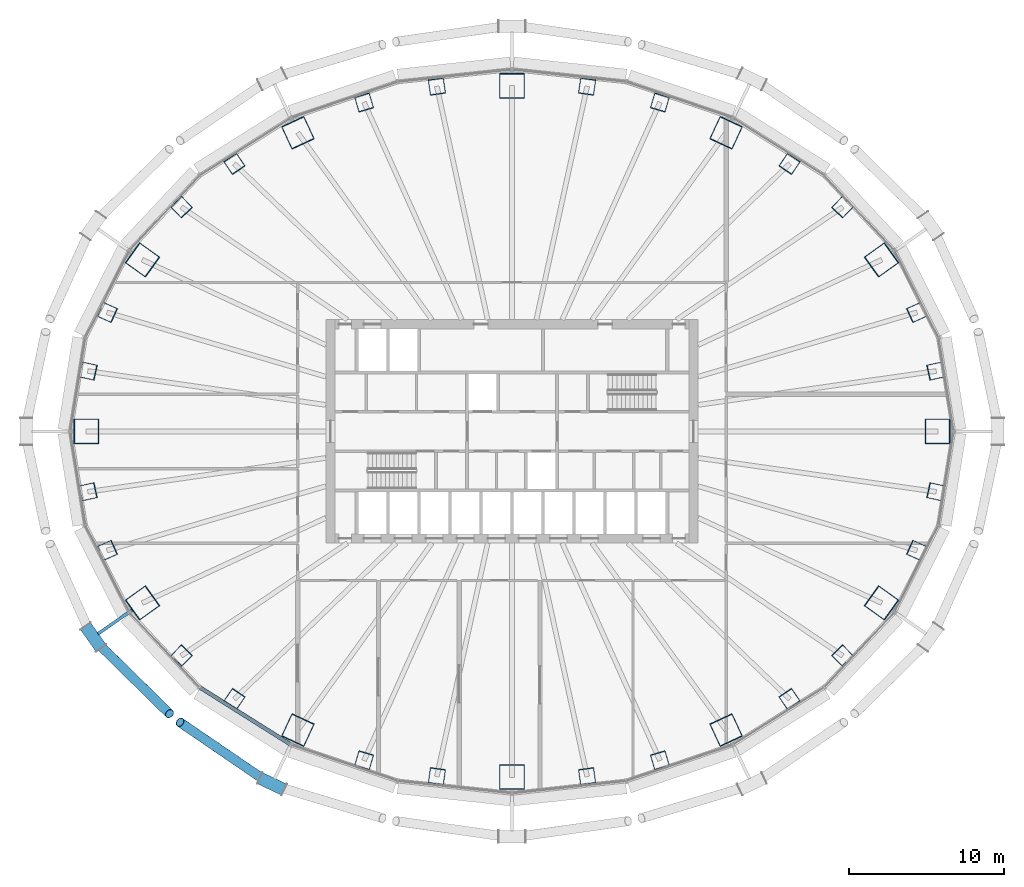
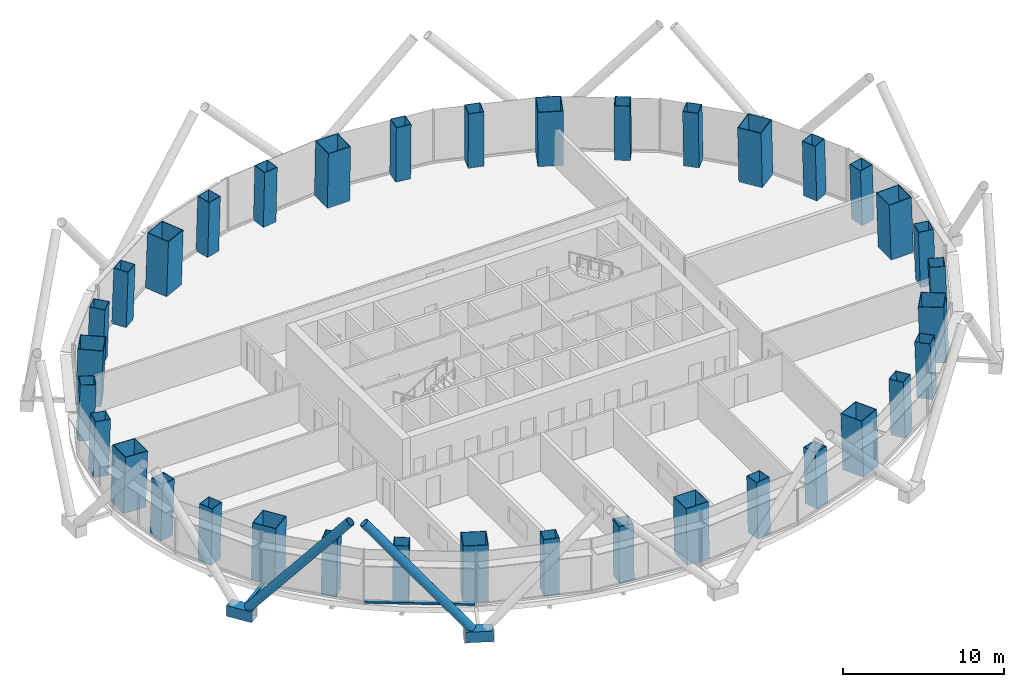
# One storey, part 1 of 16: 36 columns, 6 members, 1 element without a shape of its own.
"""IFC4 building model written with IfcOpenShell, lengths in metres."""

from ifc_helpers import new_model, si_unit, direction, frame, origin, origin_2d, place, context, subcontext, project, spatial, rectangle, hollow_rectangle, hollow_circle, extrude, material, layer, layer_set, material_profile, profile_set, type_object, element, aggregate, save


model = new_model("IFC4")

# Units and contexts
model_context = context("Model", 3, precision=1e-05, world=origin(), true_north=direction((0.0, 1.0)))
body_context = subcontext(model_context, "Body", "Model", "MODEL_VIEW")
ifc_project = project(units=[si_unit("LENGTHUNIT", "METRE"), si_unit("AREAUNIT", "SQUARE_METRE"), si_unit("VOLUMEUNIT", "CUBIC_METRE"), si_unit("PLANEANGLEUNIT", "RADIAN"), si_unit("MASSUNIT", "GRAM", prefix="KILO")], contexts=[model_context])

# Site, building, storey
site_placement = place(None, origin())
site = spatial("IfcSite", under=ifc_project, at=site_placement, CompositionType="ELEMENT")
building_placement = place(site_placement, origin())
building = spatial("IfcBuilding", under=site, at=building_placement, Name="Siaravel Broadcast Tower", CompositionType="ELEMENT")
storey_placement = place(building_placement, frame((0.0, 0.0, 28.699951171875)))
storey = spatial("IfcBuildingStorey", under=building, at=storey_placement, Name="L05", CompositionType="ELEMENT", Elevation=28.699951171875)

# Columns
ifc_material_1 = material(Name="Concrete C70/85", Category="concrete")
ifc_material_profile_1 = material_profile(ifc_material_1, hollow_rectangle(XDim=1.0, YDim=1.0, WallThickness=0.031982421875, at=origin_2d()))
ifc_profile_set_1 = profile_set([ifc_material_profile_1], Name="Concrete C70/85")
column_type_1 = type_object("IfcColumnType", Name="COL-CFT BOX 1000x1000x32", PredefinedType="COLUMN", material=ifc_profile_set_1)
for number, where, z_axis, x_axis, name in (
    (1, (27.3330078125, 3.892333984375, 0.0), (-0.034043665, -0.004938074, 0.999408147), (0.212942356, -0.977061752, 0.002425971), "Perimeter column C01"),
    (2, (26.09619140625, 7.673095703125, 0.0), (-0.032475681, -0.009643941, 0.999425998), (0.40845315, -0.912768366, 0.004464673), "Perimeter column C02"),
):
    element("IfcColumn", number, at=place(storey_placement, frame(where, z_axis=z_axis, x_axis=x_axis)), inside=storey, type_object=column_type_1, Name=name, PredefinedType="COLUMN", context=body_context, shape_type="SweptSolid", body=[
        extrude(hollow_rectangle(XDim=1.0, YDim=1.0, WallThickness=0.031982421875, at=origin_2d()), origin(), (0.0, 0.0, 1.0), 4.202392578125),
    ])
column_1_placement = place(storey_placement, frame((21.310791015625, 14.458984375, 0.0), z_axis=(-0.026435257, -0.018185133, 0.999485107), x_axis=(0.719976606, -0.693968674, 0.006416158)))
element("IfcColumn", 3, at=column_1_placement, inside=storey, type_object=column_type_1, Name="Perimeter column C03", PredefinedType="COLUMN", context=body_context, shape_type="SweptSolid", body=[
    extrude(hollow_rectangle(XDim=1.0, YDim=1.0, WallThickness=0.031982421875, at=origin_2d()), origin(), (0.0, 0.0, 1.0), 4.2021484375),
])
column_2_placement = place(storey_placement, frame((17.897705078125, 17.25439453125, 0.0), z_axis=(-0.022252816, -0.021671802, 0.999517456), x_axis=(0.826905053, -0.562307187, 0.006217756)))
element("IfcColumn", 4, at=column_2_placement, inside=storey, type_object=column_type_1, Name="Perimeter column C04", PredefinedType="COLUMN", context=body_context, shape_type="SweptSolid", body=[
    extrude(hollow_rectangle(XDim=1.0, YDim=1.0, WallThickness=0.031982421875, at=origin_2d()), origin(), (0.0, 0.0, 1.0), 4.201904296875),
])
for number, where, z_axis, x_axis, name in (
    (5, (9.535888671875, 21.2080078125, 0.0), (-0.011853345, -0.026670027, 0.999574013), (0.959519946, -0.281614165, 0.00386451), "Perimeter column C05"),
    (6, (4.843017578125, 22.23779296875, 0.0), (-0.005984891, -0.027890756, 0.999593061), (0.990157139, -0.139945508, 0.00202362), "Perimeter column C06"),
    (7, (-4.843017578125, 22.23779296875, 0.0), (0.005984891, -0.027890756, 0.999593061), (0.990157139, 0.139945508, -0.00202362), "Perimeter column C07"),
    (8, (-9.535888671875, 21.2080078125, 0.0), (0.011853345, -0.026670027, 0.999574013), (0.959519946, 0.281614165, -0.00386451), "Perimeter column C08"),
):
    element("IfcColumn", number, at=place(storey_placement, frame(where, z_axis=z_axis, x_axis=x_axis)), inside=storey, type_object=column_type_1, Name=name, PredefinedType="COLUMN", context=body_context, shape_type="SweptSolid", body=[
        extrude(hollow_rectangle(XDim=1.0, YDim=1.0, WallThickness=0.031982421875, at=origin_2d()), origin(), (0.0, 0.0, 1.0), 4.20166015625),
    ])
column_3_placement = place(storey_placement, frame((-17.897705078125, 17.25439453125, 0.0), z_axis=(0.022252816, -0.021671802, 0.999517456), x_axis=(0.826905053, 0.562307187, -0.006217756)))
element("IfcColumn", 9, at=column_3_placement, inside=storey, type_object=column_type_1, Name="Perimeter column C09", PredefinedType="COLUMN", context=body_context, shape_type="SweptSolid", body=[
    extrude(hollow_rectangle(XDim=1.0, YDim=1.0, WallThickness=0.031982421875, at=origin_2d()), origin(), (0.0, 0.0, 1.0), 4.201904296875),
])
column_4_placement = place(storey_placement, frame((-21.310791015625, 14.458984375, 0.0), z_axis=(0.026435257, -0.018185133, 0.999485107), x_axis=(0.719976606, 0.693968674, -0.006416158)))
element("IfcColumn", 10, at=column_4_placement, inside=storey, type_object=column_type_1, Name="Perimeter column C10", PredefinedType="COLUMN", context=body_context, shape_type="SweptSolid", body=[
    extrude(hollow_rectangle(XDim=1.0, YDim=1.0, WallThickness=0.031982421875, at=origin_2d()), origin(), (0.0, 0.0, 1.0), 4.2021484375),
])
for number, where, z_axis, x_axis, name in (
    (11, (-26.09619140625, 7.673095703125, 0.0), (0.032475681, -0.009643941, 0.999425998), (0.40845315, 0.912768366, -0.004464673), "Perimeter column C11"),
    (12, (-27.3330078125, 3.892333984375, 0.0), (0.034043665, -0.004938074, 0.999408147), (0.212942356, 0.977061752, -0.002425971), "Perimeter column C12"),
    (13, (-27.3330078125, -3.892333984375, 0.0), (0.034043665, 0.004938074, 0.999408147), (-0.212942356, 0.977061752, 0.002425971), "Perimeter column C13"),
    (14, (-26.09619140625, -7.673095703125, 0.0), (0.032475681, 0.009643941, 0.999425998), (-0.40845315, 0.912768366, 0.004464673), "Perimeter column C14"),
):
    element("IfcColumn", number, at=place(storey_placement, frame(where, z_axis=z_axis, x_axis=x_axis)), inside=storey, type_object=column_type_1, Name=name, PredefinedType="COLUMN", context=body_context, shape_type="SweptSolid", body=[
        extrude(hollow_rectangle(XDim=1.0, YDim=1.0, WallThickness=0.031982421875, at=origin_2d()), origin(), (0.0, 0.0, 1.0), 4.202392578125),
    ])
column_5_placement = place(storey_placement, frame((-21.310791015625, -14.458984375, 0.0), z_axis=(0.026435257, 0.018185133, 0.999485107), x_axis=(-0.719976606, 0.693968674, 0.006416158)))
element("IfcColumn", 15, at=column_5_placement, inside=storey, type_object=column_type_1, Name="Perimeter column C15", PredefinedType="COLUMN", context=body_context, shape_type="SweptSolid", body=[
    extrude(hollow_rectangle(XDim=1.0, YDim=1.0, WallThickness=0.031982421875, at=origin_2d()), origin(), (0.0, 0.0, 1.0), 4.2021484375),
])
column_6_placement = place(storey_placement, frame((-17.897705078125, -17.25439453125, 0.0), z_axis=(0.022252816, 0.021671802, 0.999517456), x_axis=(-0.826905053, 0.562307187, 0.006217756)))
element("IfcColumn", 16, at=column_6_placement, inside=storey, type_object=column_type_1, Name="Perimeter column C16", PredefinedType="COLUMN", context=body_context, shape_type="SweptSolid", body=[
    extrude(hollow_rectangle(XDim=1.0, YDim=1.0, WallThickness=0.031982421875, at=origin_2d()), origin(), (0.0, 0.0, 1.0), 4.201904296875),
])
for number, where, z_axis, x_axis, name in (
    (17, (-9.535888671875, -21.2080078125, 0.0), (0.011853345, 0.026670027, 0.999574013), (-0.959519946, 0.281614165, 0.00386451), "Perimeter column C17"),
    (18, (-4.843017578125, -22.23779296875, 0.0), (0.005984891, 0.027890756, 0.999593061), (-0.990157139, 0.139945508, 0.00202362), "Perimeter column C18"),
    (19, (4.843017578125, -22.23779296875, 0.0), (-0.005984891, 0.027890756, 0.999593061), (-0.990157139, -0.139945508, -0.00202362), "Perimeter column C19"),
    (20, (9.535888671875, -21.2080078125, 0.0), (-0.011853345, 0.026670027, 0.999574013), (-0.959519946, -0.281614165, -0.00386451), "Perimeter column C20"),
):
    element("IfcColumn", number, at=place(storey_placement, frame(where, z_axis=z_axis, x_axis=x_axis)), inside=storey, type_object=column_type_1, Name=name, PredefinedType="COLUMN", context=body_context, shape_type="SweptSolid", body=[
        extrude(hollow_rectangle(XDim=1.0, YDim=1.0, WallThickness=0.031982421875, at=origin_2d()), origin(), (0.0, 0.0, 1.0), 4.20166015625),
    ])
column_7_placement = place(storey_placement, frame((17.897705078125, -17.25439453125, 0.0), z_axis=(-0.022252816, 0.021671802, 0.999517456), x_axis=(-0.826905053, -0.562307187, -0.006217756)))
element("IfcColumn", 21, at=column_7_placement, inside=storey, type_object=column_type_1, Name="Perimeter column C21", PredefinedType="COLUMN", context=body_context, shape_type="SweptSolid", body=[
    extrude(hollow_rectangle(XDim=1.0, YDim=1.0, WallThickness=0.031982421875, at=origin_2d()), origin(), (0.0, 0.0, 1.0), 4.201904296875),
])
column_8_placement = place(storey_placement, frame((21.310791015625, -14.458984375, 0.0), z_axis=(-0.026435257, 0.018185133, 0.999485107), x_axis=(-0.719976606, -0.693968674, -0.006416158)))
element("IfcColumn", 22, at=column_8_placement, inside=storey, type_object=column_type_1, Name="Perimeter column C22", PredefinedType="COLUMN", context=body_context, shape_type="SweptSolid", body=[
    extrude(hollow_rectangle(XDim=1.0, YDim=1.0, WallThickness=0.031982421875, at=origin_2d()), origin(), (0.0, 0.0, 1.0), 4.2021484375),
])
for number, where, z_axis, x_axis, name in (
    (23, (26.09619140625, -7.673095703125, 0.0), (-0.032475681, 0.009643941, 0.999425998), (-0.40845315, -0.912768366, -0.004464673), "Perimeter column C23"),
    (24, (27.3330078125, -3.892333984375, 0.0), (-0.034043665, 0.004938074, 0.999408147), (-0.212942356, -0.977061752, -0.002425971), "Perimeter column C24"),
):
    element("IfcColumn", number, at=place(storey_placement, frame(where, z_axis=z_axis, x_axis=x_axis)), inside=storey, type_object=column_type_1, Name=name, PredefinedType="COLUMN", context=body_context, shape_type="SweptSolid", body=[
        extrude(hollow_rectangle(XDim=1.0, YDim=1.0, WallThickness=0.031982421875, at=origin_2d()), origin(), (0.0, 0.0, 1.0), 4.202392578125),
    ])
ifc_material_profile_2 = material_profile(ifc_material_1, hollow_rectangle(XDim=1.60009765625, YDim=1.60009765625, WallThickness=0.0400390625, at=origin_2d()))
ifc_profile_set_2 = profile_set([ifc_material_profile_2], Name="Concrete C70/85")
column_type_2 = type_object("IfcColumnType", Name="COL-CFT BOX 1600x1600x40", PredefinedType="COLUMN", material=ifc_profile_set_2)
column_9_placement = place(storey_placement, frame((27.448974609375, 0.0, 0.0), z_axis=(-0.034566322, 0.0, 0.999402406), x_axis=(0.0, -1.0, 0.0)))
element("IfcColumn", 25, at=column_9_placement, inside=storey, type_object=column_type_2, Name="Megacolumn MC01", PredefinedType="COLUMN", context=body_context, shape_type="SweptSolid", body=[
    extrude(hollow_rectangle(XDim=1.60009765625, YDim=1.60009765625, WallThickness=0.0400390625, at=origin_2d()), origin(), (0.0, 0.0, 1.0), 4.202392578125),
])
column_10_placement = place(storey_placement, frame((23.824951171875, 11.05859375, 0.0), z_axis=(-0.029920227, -0.014175797, 0.999451763), x_axis=(0.582459628, -0.812838162, 0.005907934)))
element("IfcColumn", 26, at=column_10_placement, inside=storey, type_object=column_type_2, Name="Megacolumn MC02", PredefinedType="COLUMN", context=body_context, shape_type="SweptSolid", body=[
    extrude(hollow_rectangle(XDim=1.60009765625, YDim=1.60009765625, WallThickness=0.0400390625, at=origin_2d()), origin(), (0.0, 0.0, 1.0), 4.2021484375),
])
column_11_placement = place(storey_placement, frame((13.80419921875, 19.25732421875, 0.0), z_axis=(-0.017314754, -0.024519551, 0.999549394), x_axis=(0.906966179, -0.421169101, 0.005379443)))
element("IfcColumn", 27, at=column_11_placement, inside=storey, type_object=column_type_2, Name="Megacolumn MC03", PredefinedType="COLUMN", context=body_context, shape_type="SweptSolid", body=[
    extrude(hollow_rectangle(XDim=1.60009765625, YDim=1.60009765625, WallThickness=0.0400390625, at=origin_2d()), origin(), (0.0, 0.0, 1.0), 4.201904296875),
])
column_12_placement = place(storey_placement, frame((0.0, 22.284912109375, 0.0), z_axis=(0.0, -0.028355739, 0.999597895), x_axis=(1.0, 0.0, 0.0)))
element("IfcColumn", 28, at=column_12_placement, inside=storey, type_object=column_type_2, Name="Megacolumn MC04", PredefinedType="COLUMN", context=body_context, shape_type="SweptSolid", body=[
    extrude(hollow_rectangle(XDim=1.60009765625, YDim=1.60009765625, WallThickness=0.0400390625, at=origin_2d()), origin(), (0.0, 0.0, 1.0), 4.20166015625),
])
column_13_placement = place(storey_placement, frame((-13.80419921875, 19.25732421875, 0.0), z_axis=(0.017314754, -0.024519551, 0.999549394), x_axis=(0.906966179, 0.421169101, -0.005379443)))
element("IfcColumn", 29, at=column_13_placement, inside=storey, type_object=column_type_2, Name="Megacolumn MC05", PredefinedType="COLUMN", context=body_context, shape_type="SweptSolid", body=[
    extrude(hollow_rectangle(XDim=1.60009765625, YDim=1.60009765625, WallThickness=0.0400390625, at=origin_2d()), origin(), (0.0, 0.0, 1.0), 4.201904296875),
])
column_14_placement = place(storey_placement, frame((-23.824951171875, 11.05859375, 0.0), z_axis=(0.029920227, -0.014175797, 0.999451763), x_axis=(0.582459628, 0.812838162, -0.005907934)))
element("IfcColumn", 30, at=column_14_placement, inside=storey, type_object=column_type_2, Name="Megacolumn MC06", PredefinedType="COLUMN", context=body_context, shape_type="SweptSolid", body=[
    extrude(hollow_rectangle(XDim=1.60009765625, YDim=1.60009765625, WallThickness=0.0400390625, at=origin_2d()), origin(), (0.0, 0.0, 1.0), 4.2021484375),
])
column_15_placement = place(storey_placement, frame((-27.448974609375, 0.0, 0.0), z_axis=(0.034566322, 0.0, 0.999402406), x_axis=(0.0, 1.0, 0.0)))
element("IfcColumn", 31, at=column_15_placement, inside=storey, type_object=column_type_2, Name="Megacolumn MC07", PredefinedType="COLUMN", context=body_context, shape_type="SweptSolid", body=[
    extrude(hollow_rectangle(XDim=1.60009765625, YDim=1.60009765625, WallThickness=0.0400390625, at=origin_2d()), origin(), (0.0, 0.0, 1.0), 4.202392578125),
])
column_16_placement = place(storey_placement, frame((-23.824951171875, -11.05859375, 0.0), z_axis=(0.029920227, 0.014175797, 0.999451763), x_axis=(-0.582459628, 0.812838162, 0.005907934)))
element("IfcColumn", 32, at=column_16_placement, inside=storey, type_object=column_type_2, Name="Megacolumn MC08", PredefinedType="COLUMN", context=body_context, shape_type="SweptSolid", body=[
    extrude(hollow_rectangle(XDim=1.60009765625, YDim=1.60009765625, WallThickness=0.0400390625, at=origin_2d()), origin(), (0.0, 0.0, 1.0), 4.2021484375),
])
column_17_placement = place(storey_placement, frame((-13.80419921875, -19.25732421875, 0.0), z_axis=(0.017314754, 0.024519551, 0.999549394), x_axis=(-0.906966179, 0.421169101, 0.005379443)))
element("IfcColumn", 33, at=column_17_placement, inside=storey, type_object=column_type_2, Name="Megacolumn MC09", PredefinedType="COLUMN", context=body_context, shape_type="SweptSolid", body=[
    extrude(hollow_rectangle(XDim=1.60009765625, YDim=1.60009765625, WallThickness=0.0400390625, at=origin_2d()), origin(), (0.0, 0.0, 1.0), 4.201904296875),
])
column_18_placement = place(storey_placement, frame((0.0, -22.284912109375, 0.0), z_axis=(0.0, 0.028355739, 0.999597895), x_axis=(-1.0, 0.0, 0.0)))
element("IfcColumn", 34, at=column_18_placement, inside=storey, type_object=column_type_2, Name="Megacolumn MC10", PredefinedType="COLUMN", context=body_context, shape_type="SweptSolid", body=[
    extrude(hollow_rectangle(XDim=1.60009765625, YDim=1.60009765625, WallThickness=0.0400390625, at=origin_2d()), origin(), (0.0, 0.0, 1.0), 4.20166015625),
])
column_19_placement = place(storey_placement, frame((13.80419921875, -19.25732421875, 0.0), z_axis=(-0.017314754, 0.024519551, 0.999549394), x_axis=(-0.906966179, -0.421169101, -0.005379443)))
element("IfcColumn", 35, at=column_19_placement, inside=storey, type_object=column_type_2, Name="Megacolumn MC11", PredefinedType="COLUMN", context=body_context, shape_type="SweptSolid", body=[
    extrude(hollow_rectangle(XDim=1.60009765625, YDim=1.60009765625, WallThickness=0.0400390625, at=origin_2d()), origin(), (0.0, 0.0, 1.0), 4.201904296875),
])
column_20_placement = place(storey_placement, frame((23.824951171875, -11.05859375, 0.0), z_axis=(-0.029920227, 0.014175797, 0.999451763), x_axis=(-0.582459628, -0.812838162, -0.005907934)))
element("IfcColumn", 36, at=column_20_placement, inside=storey, type_object=column_type_2, Name="Megacolumn MC12", PredefinedType="COLUMN", context=body_context, shape_type="SweptSolid", body=[
    extrude(hollow_rectangle(XDim=1.60009765625, YDim=1.60009765625, WallThickness=0.0400390625, at=origin_2d()), origin(), (0.0, 0.0, 1.0), 4.2021484375),
])

# Curtain wall, member
ifc_material_2 = material(Name="Aluminium 6063-T6", Category="aluminium")
ifc_layer = layer(ifc_material_2, 0.25)
ifc_layer_set = layer_set([ifc_layer], Name="Aluminium 6063-T6")
curtain_wall_type = type_object("IfcCurtainWallType", Name="Podium newsroom glazing", PredefinedType="NOTDEFINED", material=ifc_layer_set)
curtain_wall_placement = place(storey_placement, origin())
curtain_wall = element("IfcCurtainWall", 37, at=curtain_wall_placement, inside=storey, type_object=curtain_wall_type, Name="L05 Podium newsroom glazing 08", PredefinedType="NOTDEFINED")
ifc_material_profile_3 = material_profile(ifc_material_2, rectangle(XDim=0.25, YDim=0.139892578125, at=origin_2d()))
ifc_profile_set_3 = profile_set([ifc_material_profile_3], Name="Aluminium 6063-T6")
member_type_1 = type_object("IfcMemberType", Name="CW-PD transom", PredefinedType="USERDEFINED", material=ifc_profile_set_3)
member_1_placement = place(storey_placement, frame((-20.082275390625, -16.51123046875, 0.070068359375), z_axis=(0.846642063, -0.532162774, 0.0), x_axis=(0.532162774, 0.846642063, 0.0)))
member_1 = element("IfcMember", 38, at=member_1_placement, type_object=member_type_1, Name="CW-PD transom 2", ObjectType="TRANSOM", PredefinedType="USERDEFINED", context=body_context, shape_type="SweptSolid", body=[
    extrude(rectangle(XDim=0.25, YDim=0.139892578125, at=origin_2d()), origin(), (0.0, 0.0, 1.0), 6.84033203125),
])
aggregate(curtain_wall, [member_1])

# Members
ifc_material_3 = material(Name="Steel S460", Category="steel")
ifc_material_profile_4 = material_profile(ifc_material_3, hollow_circle(Radius=0.304931640625, WallThickness=0.02490234375, at=origin_2d()))
ifc_profile_set_4 = profile_set([ifc_material_profile_4], Name="Steel S460")
member_type_2 = type_object("IfcMemberType", Name="Diagrid diagonal CHS 610x25", PredefinedType="BRACE", material=ifc_profile_set_4)
member_2_placement = place(storey_placement, frame((-26.728759765625, -13.60791015625, 0.170166015625), z_axis=(0.462865916, -0.454814808, 0.760853885), x_axis=(0.700876134, 0.713283005, 0.0)))
element("IfcMember", 39, at=member_2_placement, inside=storey, type_object=member_type_2, Name="Diagrid diagonal R03 station 42A", PredefinedType="BRACE", context=body_context, shape_type="SweptSolid", body=[
    extrude(hollow_circle(Radius=0.304931640625, WallThickness=0.02490234375, at=origin_2d()), origin(), (0.0, 0.0, 1.0), 10.067626953125),
])
member_3_placement = place(storey_placement, frame((-15.85498046875, -22.522705078125, 0.170166015625), z_axis=(-0.544071533, 0.371609584, 0.752258256), x_axis=(-0.564011883, -0.825766672, 0.0)))
element("IfcMember", 40, at=member_3_placement, inside=storey, type_object=member_type_2, Name="Diagrid diagonal R03 station 48C", PredefinedType="BRACE", context=body_context, shape_type="SweptSolid", body=[
    extrude(hollow_circle(Radius=0.304931640625, WallThickness=0.02490234375, at=origin_2d()), origin(), (0.0, 0.0, 1.0), 10.1826171875),
])
ifc_material_profile_5 = material_profile(ifc_material_3, hollow_rectangle(XDim=0.800048828125, YDim=0.800048828125, WallThickness=0.050048828125, at=origin_2d()))
ifc_profile_set_5 = profile_set([ifc_material_profile_5], Name="Steel S460")
member_type_3 = type_object("IfcMemberType", Name="Diagrid node BOX 800x800x50", PredefinedType="USERDEFINED", material=ifc_profile_set_5)
member_4_placement = place(storey_placement, frame((-27.475341796875, -12.548583984375, -0.199951171875), z_axis=(0.576087108, -0.817388307, 0.0), x_axis=(0.817388307, 0.576087108, 0.0)))
element("IfcMember", 41, at=member_4_placement, inside=storey, type_object=member_type_3, Name="Diagrid node R03 station 42", ObjectType="DIAGRID NODE", PredefinedType="USERDEFINED", context=body_context, shape_type="SweptSolid", body=[
    extrude(hollow_rectangle(XDim=0.800048828125, YDim=0.800048828125, WallThickness=0.050048828125, at=origin_2d()), origin(), (0.0, 0.0, 1.0), 1.720947265625),
])
member_5_placement = place(storey_placement, frame((-16.2392578125, -22.341064453125, -0.199951171875), z_axis=(0.904000505, -0.427531386, 0.0), x_axis=(0.427531386, 0.904000505, 0.0)))
element("IfcMember", 42, at=member_5_placement, inside=storey, type_object=member_type_3, Name="Diagrid node R03 station 48", ObjectType="DIAGRID NODE", PredefinedType="USERDEFINED", context=body_context, shape_type="SweptSolid", body=[
    extrude(hollow_rectangle(XDim=0.800048828125, YDim=0.800048828125, WallThickness=0.050048828125, at=origin_2d()), origin(), (0.0, 0.0, 1.0), 1.72119140625),
])
ifc_material_profile_6 = material_profile(ifc_material_3, hollow_rectangle(XDim=0.199951171875, YDim=0.300048828125, WallThickness=0.012451171875, at=origin_2d()))
ifc_profile_set_6 = profile_set([ifc_material_profile_6], Name="Steel S460")
member_type_4 = type_object("IfcMemberType", Name="Diagrid node arm RHS 300x200x12.5", PredefinedType="STRUT", material=ifc_profile_set_6)
member_6_placement = place(storey_placement, frame((-24.457275390625, -11.498291015625, -0.199951171875), z_axis=(-0.821048822, -0.570857979, 0.0), x_axis=(0.570857979, -0.821048822, 0.0)))
element("IfcMember", 43, at=member_6_placement, inside=storey, type_object=member_type_4, Name="Node arm R03 station 42", PredefinedType="STRUT", context=body_context, shape_type="SweptSolid", body=[
    extrude(hollow_rectangle(XDim=0.199951171875, YDim=0.300048828125, WallThickness=0.012451171875, at=origin_2d()), origin(), (0.0, 0.0, 1.0), 2.7021484375),
])

save(model, "model.ifc")
